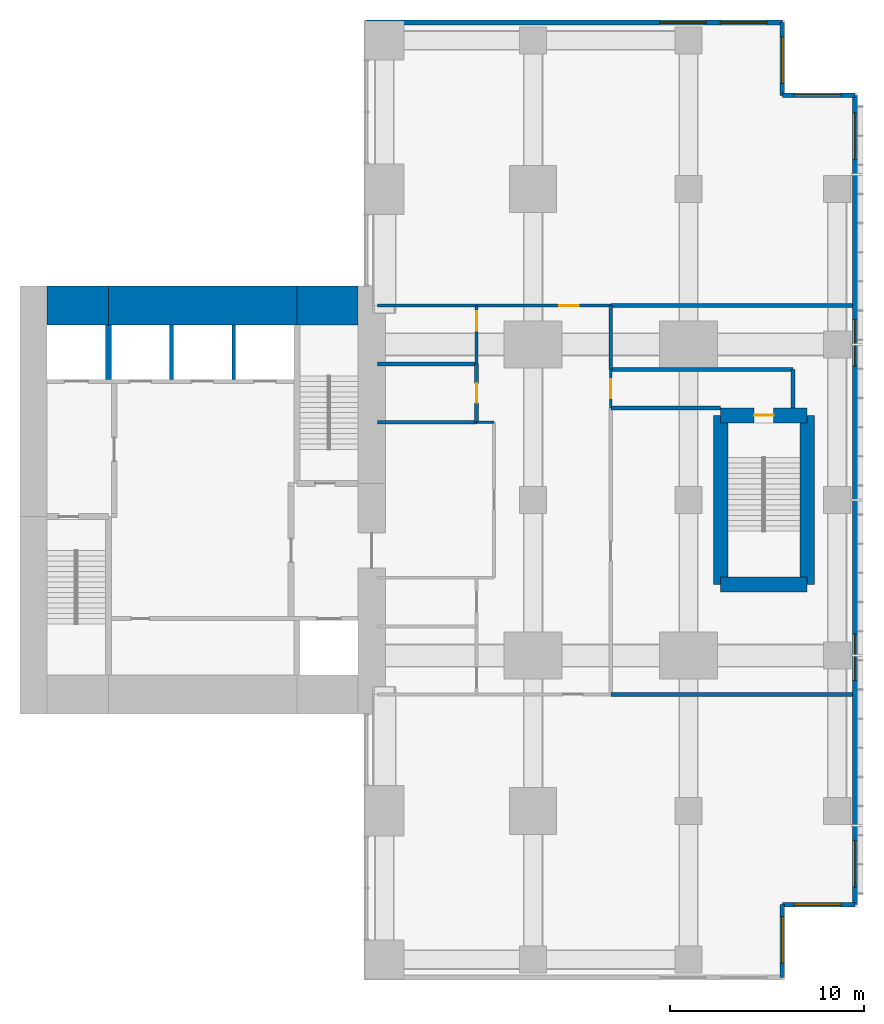
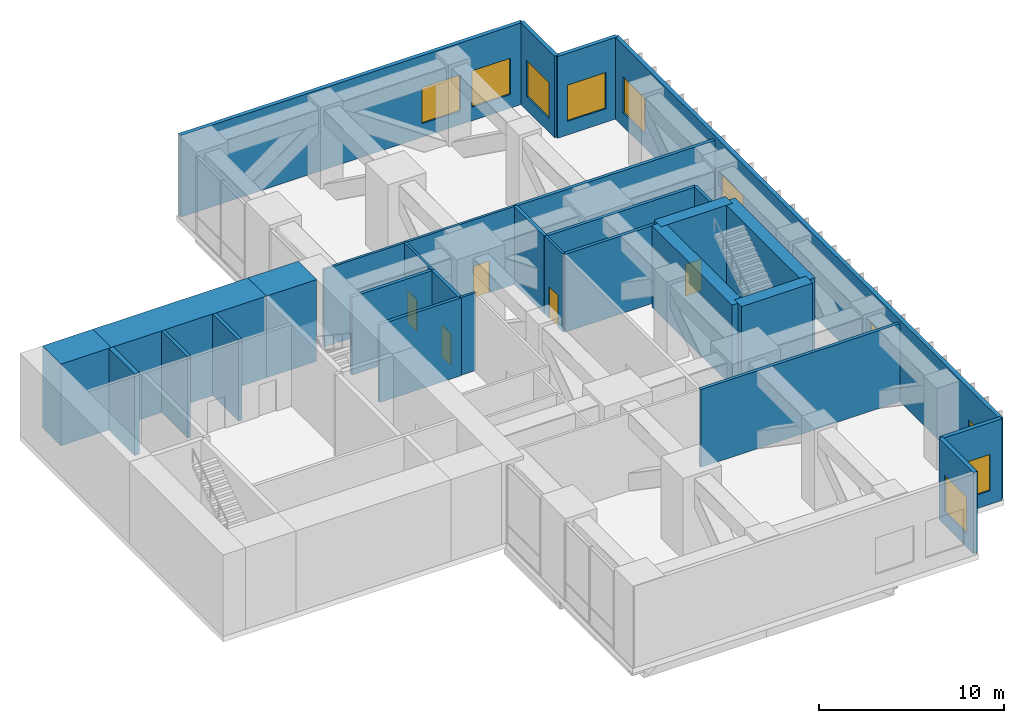
# One storey, part 8 of 10: 29 walls, 10 windows, 5 doors, 15 openings.
"""IFC4 building model written with IfcOpenShell, lengths in metres."""

from ifc_helpers import new_model, si_unit, direction, frame, frame_2d, origin, place, context, subcontext, project, spatial, rectangle, extrude, material, layer, layer_set, type_object, element, fill, save


model = new_model("IFC4")

# Units and contexts
model_context = context("Model", 3, precision=1e-05, world=origin(), true_north=direction((0.0, 1.0)))
body_context = subcontext(model_context, "Body", "Model", "MODEL_VIEW")
ifc_project = project(units=[si_unit("LENGTHUNIT", "METRE"), si_unit("AREAUNIT", "SQUARE_METRE"), si_unit("VOLUMEUNIT", "CUBIC_METRE"), si_unit("PLANEANGLEUNIT", "RADIAN"), si_unit("MASSUNIT", "GRAM", prefix="KILO")], contexts=[model_context])

# Site, building, storey
site_placement = place(None, origin())
site = spatial("IfcSite", under=ifc_project, at=site_placement, CompositionType="ELEMENT")
building_placement = place(site_placement, origin())
building = spatial("IfcBuilding", under=site, at=building_placement, Name="Cleftline Residences", CompositionType="ELEMENT")
storey_placement = place(building_placement, frame((0.0, 0.0, 277.199951171875)))
storey = spatial("IfcBuildingStorey", under=building, at=storey_placement, Name="L73", CompositionType="ELEMENT", Elevation=277.199951171875)

# Walls
ifc_material_1 = material(Name="Concrete B70", Category="concrete")
ifc_layer_1 = layer(ifc_material_1, 2.0)
ifc_layer_set_1 = layer_set([ifc_layer_1], Name="CORE WALL 2000")
wall_type_1 = type_object("IfcWallType", Name="CORE WALL 2000", PredefinedType="SHEAR", material=ifc_layer_set_1)
wall_1_placement = place(storey_placement, frame((25.0, 34.0, 0.0), z_axis=(0.0, 0.0, 1.0), x_axis=(1.0, 0.0, 0.0)))
element("IfcWall", 1, at=wall_1_placement, inside=storey, type_object=wall_type_1, Name="Core wall N1", PredefinedType="SHEAR", context=body_context, shape_type="SweptSolid", body=[
    extrude(rectangle(XDim=3.14990234375, YDim=2.0, at=frame_2d((1.574951171875, 0.0))), origin(), (0.0, 0.0, 1.0), 5.400146484375),
])
wall_2_placement = place(storey_placement, frame((28.14990234375, 34.0, 0.0), z_axis=(0.0, 0.0, 1.0), x_axis=(1.0, 0.0, 0.0)))
element("IfcWall", 2, at=wall_2_placement, inside=storey, type_object=wall_type_1, Name="Core wall N2", PredefinedType="SHEAR", context=body_context, shape_type="SweptSolid", body=[
    extrude(rectangle(XDim=9.7001953125, YDim=2.0, at=frame_2d((4.85009765625, 0.0))), origin(), (0.0, 0.0, 1.0), 5.400146484375),
])
wall_3_placement = place(storey_placement, frame((37.85009765625, 34.0, 0.0), z_axis=(0.0, 0.0, 1.0), x_axis=(1.0, 0.0, 0.0)))
element("IfcWall", 3, at=wall_3_placement, inside=storey, type_object=wall_type_1, Name="Core wall N3", PredefinedType="SHEAR", context=body_context, shape_type="SweptSolid", body=[
    extrude(rectangle(XDim=3.14990234375, YDim=2.0, at=frame_2d((1.574951171875, 0.0))), origin(), (0.0, 0.0, 1.0), 5.400146484375),
])
ifc_material_2 = material(Name="Concrete B70", Category="concrete")
ifc_layer_2 = layer(ifc_material_2, 0.300048828125)
ifc_layer_set_2 = layer_set([ifc_layer_2], Name="CORE WALL 300")
wall_type_2 = type_object("IfcWallType", Name="CORE WALL 300", PredefinedType="SHEAR", material=ifc_layer_set_2)
wall_4_placement = place(storey_placement, frame((28.14990234375, 30.199951171875, 0.0), z_axis=(0.0, 0.0, 1.0), x_axis=(0.0, 1.0, 0.0)))
element("IfcWall", 4, at=wall_4_placement, inside=storey, type_object=wall_type_2, Name="Lift shaft wall", PredefinedType="SHEAR", context=body_context, shape_type="SweptSolid", body=[
    extrude(rectangle(XDim=2.800048828125, YDim=0.300048828125, at=frame_2d((1.39990234375, 0.0))), origin(), (0.0, 0.0, 1.0), 5.400146484375),
])

# Wall, opening, window
ifc_material_3 = material(Name="Rendered reinforced concrete blockwork", Category="masonry")
ifc_layer_3 = layer(ifc_material_3, 0.25)
ifc_layer_set_3 = layer_set([ifc_layer_3], Name="EXTERNAL WALL 250")
wall_type_3 = type_object("IfcWallType", Name="EXTERNAL WALL 250", PredefinedType="SOLIDWALL", material=ifc_layer_set_3)
wall_5_placement = place(storey_placement, frame((62.824951171875, -0.574951171875, 0.0), z_axis=(0.0, 0.0, 1.0), x_axis=(0.0, 1.0, 0.0)))
wall_5 = element("IfcWall", 5, at=wall_5_placement, inside=storey, type_object=wall_type_3, Name="External wall", PredefinedType="SOLIDWALL", context=body_context, shape_type="SweptSolid", body=[
    extrude(rectangle(XDim=3.75, YDim=0.25, at=frame_2d((1.875, 0.0))), origin(), (0.0, 0.0, 1.0), 5.400146484375),
])
opening_1_placement = place(wall_5_placement, frame((0.737548828125, 0.0, 0.89990234375)))
opening_1 = element("IfcOpeningElement", 6, at=opening_1_placement, cuts=wall_5, Name="Opening W9", PredefinedType="OPENING", context=body_context, shape_type="SweptSolid", body=[
    extrude(rectangle(XDim=2.39990234375, YDim=2.39990234375, at=frame_2d((1.199951171875, 1.199951171875))), frame((0.0, 0.135009765625, 0.0), z_axis=(0.0, -1.0, 0.0), x_axis=(1.0, 0.0, 0.0)), (0.0, 0.0, 1.0), 0.27001953125),
])
ifc_material_4 = material(Name="Aluminium frame, clear double glazing", Category="aluminium")
window_type = type_object("IfcWindowType", Name="WINDOW 2400X2400", PartitioningType="DOUBLE_PANEL_VERTICAL", PredefinedType="WINDOW", material=ifc_material_4)
window_1_placement = place(opening_1_placement, origin())
window_1 = element("IfcWindow", 7, at=window_1_placement, inside=storey, type_object=window_type, Name="Window", OverallHeight=2.39990234375, OverallWidth=2.39990234375, PartitioningType="SINGLE_PANEL", PredefinedType="WINDOW", context=body_context, shape_type="SweptSolid", body=[
    extrude(rectangle(XDim=2.39990234375, YDim=2.39990234375, at=frame_2d((1.199951171875, 1.199951171875))), frame((0.0, 0.030029296875, 0.0), z_axis=(0.0, -1.0, 0.0), x_axis=(1.0, 0.0, 0.0)), (0.0, 0.0, 1.0), 0.06005859375),
])
fill(opening_1, window_1)

wall_6_placement = place(storey_placement, frame((62.824951171875, 3.175048828125, 0.0), z_axis=(0.0, 0.0, 1.0), x_axis=(1.0, 0.0, 0.0)))
wall_6 = element("IfcWall", 8, at=wall_6_placement, inside=storey, type_object=wall_type_3, Name="External wall", PredefinedType="SOLIDWALL", context=body_context, shape_type="SweptSolid", body=[
    extrude(rectangle(XDim=3.75, YDim=0.25, at=frame_2d((1.875, 0.0))), origin(), (0.0, 0.0, 1.0), 5.400146484375),
])
opening_2_placement = place(wall_6_placement, frame((0.612548828125, 0.0, 0.89990234375)))
opening_2 = element("IfcOpeningElement", 9, at=opening_2_placement, cuts=wall_6, Name="Opening W9", PredefinedType="OPENING", context=body_context, shape_type="SweptSolid", body=[
    extrude(rectangle(XDim=2.39990234375, YDim=2.39990234375, at=frame_2d((1.199951171875, 1.199951171875))), frame((0.0, 0.135009765625, 0.0), z_axis=(0.0, -1.0, 0.0), x_axis=(1.0, 0.0, 0.0)), (0.0, 0.0, 1.0), 0.27001953125),
])
window_2_placement = place(opening_2_placement, origin())
window_2 = element("IfcWindow", 10, at=window_2_placement, inside=storey, type_object=window_type, Name="Window", OverallHeight=2.39990234375, OverallWidth=2.39990234375, PartitioningType="SINGLE_PANEL", PredefinedType="WINDOW", context=body_context, shape_type="SweptSolid", body=[
    extrude(rectangle(XDim=2.39990234375, YDim=2.39990234375, at=frame_2d((1.199951171875, 1.199951171875))), frame((0.0, 0.030029296875, 0.0), z_axis=(0.0, -1.0, 0.0), x_axis=(1.0, 0.0, 0.0)), (0.0, 0.0, 1.0), 0.06005859375),
])
fill(opening_2, window_2)

# Wall, openings, windows
wall_7_placement = place(storey_placement, frame((66.574951171875, 3.175048828125, 0.0), z_axis=(0.0, 0.0, 1.0), x_axis=(0.0, 1.0, 0.0)))
wall_7 = element("IfcWall", 11, at=wall_7_placement, inside=storey, type_object=wall_type_3, Name="External wall", PredefinedType="SOLIDWALL", context=body_context, shape_type="SweptSolid", body=[
    extrude(rectangle(XDim=41.64990234375, YDim=0.25, at=frame_2d((20.824951171875, 0.0))), origin(), (0.0, 0.0, 1.0), 5.400146484375),
])
opening_3_placement = place(wall_7_placement, frame((0.908447265625, 0.0, 0.89990234375)))
opening_3 = element("IfcOpeningElement", 12, at=opening_3_placement, cuts=wall_7, Name="Opening W9", PredefinedType="OPENING", context=body_context, shape_type="SweptSolid", body=[
    extrude(rectangle(XDim=2.39990234375, YDim=2.39990234375, at=frame_2d((1.199951171875, 1.199951171875))), frame((0.0, 0.135009765625, 0.0), z_axis=(0.0, -1.0, 0.0), x_axis=(1.0, 0.0, 0.0)), (0.0, 0.0, 1.0), 0.27001953125),
])
opening_4_placement = place(wall_7_placement, frame((11.541748046875, 0.0, 0.89990234375)))
opening_4 = element("IfcOpeningElement", 13, at=opening_4_placement, cuts=wall_7, Name="Opening W9", PredefinedType="OPENING", context=body_context, shape_type="SweptSolid", body=[
    extrude(rectangle(XDim=2.39990234375, YDim=2.39990234375, at=frame_2d((1.199951171875, 1.199951171875))), frame((0.0, 0.135009765625, 0.0), z_axis=(0.0, -1.0, 0.0), x_axis=(1.0, 0.0, 0.0)), (0.0, 0.0, 1.0), 0.27001953125),
])
opening_5_placement = place(wall_7_placement, frame((27.708251953125, 0.0, 0.89990234375)))
opening_5 = element("IfcOpeningElement", 14, at=opening_5_placement, cuts=wall_7, Name="Opening W9", PredefinedType="OPENING", context=body_context, shape_type="SweptSolid", body=[
    extrude(rectangle(XDim=2.39990234375, YDim=2.39990234375, at=frame_2d((1.199951171875, 1.199951171875))), frame((0.0, 0.135009765625, 0.0), z_axis=(0.0, -1.0, 0.0), x_axis=(1.0, 0.0, 0.0)), (0.0, 0.0, 1.0), 0.27001953125),
])
opening_6_placement = place(wall_7_placement, frame((38.341552734375, 0.0, 0.89990234375)))
opening_6 = element("IfcOpeningElement", 15, at=opening_6_placement, cuts=wall_7, Name="Opening W9", PredefinedType="OPENING", context=body_context, shape_type="SweptSolid", body=[
    extrude(rectangle(XDim=2.39990234375, YDim=2.39990234375, at=frame_2d((1.199951171875, 1.199951171875))), frame((0.0, 0.135009765625, 0.0), z_axis=(0.0, -1.0, 0.0), x_axis=(1.0, 0.0, 0.0)), (0.0, 0.0, 1.0), 0.27001953125),
])
window_3_placement = place(opening_3_placement, origin())
window_3 = element("IfcWindow", 16, at=window_3_placement, inside=storey, type_object=window_type, Name="Window", OverallHeight=2.39990234375, OverallWidth=2.39990234375, PartitioningType="SINGLE_PANEL", PredefinedType="WINDOW", context=body_context, shape_type="SweptSolid", body=[
    extrude(rectangle(XDim=2.39990234375, YDim=2.39990234375, at=frame_2d((1.199951171875, 1.199951171875))), frame((0.0, 0.030029296875, 0.0), z_axis=(0.0, -1.0, 0.0), x_axis=(1.0, 0.0, 0.0)), (0.0, 0.0, 1.0), 0.06005859375),
])
fill(opening_3, window_3)
window_4_placement = place(opening_4_placement, origin())
window_4 = element("IfcWindow", 17, at=window_4_placement, inside=storey, type_object=window_type, Name="Window", OverallHeight=2.39990234375, OverallWidth=2.39990234375, PartitioningType="SINGLE_PANEL", PredefinedType="WINDOW", context=body_context, shape_type="SweptSolid", body=[
    extrude(rectangle(XDim=2.39990234375, YDim=2.39990234375, at=frame_2d((1.199951171875, 1.199951171875))), frame((0.0, 0.030029296875, 0.0), z_axis=(0.0, -1.0, 0.0), x_axis=(1.0, 0.0, 0.0)), (0.0, 0.0, 1.0), 0.06005859375),
])
fill(opening_4, window_4)
window_5_placement = place(opening_5_placement, origin())
window_5 = element("IfcWindow", 18, at=window_5_placement, inside=storey, type_object=window_type, Name="Window", OverallHeight=2.39990234375, OverallWidth=2.39990234375, PartitioningType="SINGLE_PANEL", PredefinedType="WINDOW", context=body_context, shape_type="SweptSolid", body=[
    extrude(rectangle(XDim=2.39990234375, YDim=2.39990234375, at=frame_2d((1.199951171875, 1.199951171875))), frame((0.0, 0.030029296875, 0.0), z_axis=(0.0, -1.0, 0.0), x_axis=(1.0, 0.0, 0.0)), (0.0, 0.0, 1.0), 0.06005859375),
])
fill(opening_5, window_5)
window_6_placement = place(opening_6_placement, origin())
window_6 = element("IfcWindow", 19, at=window_6_placement, inside=storey, type_object=window_type, Name="Window", OverallHeight=2.39990234375, OverallWidth=2.39990234375, PartitioningType="SINGLE_PANEL", PredefinedType="WINDOW", context=body_context, shape_type="SweptSolid", body=[
    extrude(rectangle(XDim=2.39990234375, YDim=2.39990234375, at=frame_2d((1.199951171875, 1.199951171875))), frame((0.0, 0.030029296875, 0.0), z_axis=(0.0, -1.0, 0.0), x_axis=(1.0, 0.0, 0.0)), (0.0, 0.0, 1.0), 0.06005859375),
])
fill(opening_6, window_6)

# Wall, opening, window
wall_8_placement = place(storey_placement, frame((66.574951171875, 44.824951171875, 0.0), z_axis=(0.0, 0.0, 1.0), x_axis=(-1.0, 0.0, 0.0)))
wall_8 = element("IfcWall", 20, at=wall_8_placement, inside=storey, type_object=wall_type_3, Name="External wall", PredefinedType="SOLIDWALL", context=body_context, shape_type="SweptSolid", body=[
    extrude(rectangle(XDim=3.75, YDim=0.25, at=frame_2d((1.875, 0.0))), origin(), (0.0, 0.0, 1.0), 5.400146484375),
])
opening_7_placement = place(wall_8_placement, frame((0.737548828125, 0.0, 0.89990234375)))
opening_7 = element("IfcOpeningElement", 21, at=opening_7_placement, cuts=wall_8, Name="Opening W9", PredefinedType="OPENING", context=body_context, shape_type="SweptSolid", body=[
    extrude(rectangle(XDim=2.39990234375, YDim=2.39990234375, at=frame_2d((1.199951171875, 1.199951171875))), frame((0.0, 0.135009765625, 0.0), z_axis=(0.0, -1.0, 0.0), x_axis=(1.0, 0.0, 0.0)), (0.0, 0.0, 1.0), 0.27001953125),
])
window_7_placement = place(opening_7_placement, origin())
window_7 = element("IfcWindow", 22, at=window_7_placement, inside=storey, type_object=window_type, Name="Window", OverallHeight=2.39990234375, OverallWidth=2.39990234375, PartitioningType="SINGLE_PANEL", PredefinedType="WINDOW", context=body_context, shape_type="SweptSolid", body=[
    extrude(rectangle(XDim=2.39990234375, YDim=2.39990234375, at=frame_2d((1.199951171875, 1.199951171875))), frame((0.0, 0.030029296875, 0.0), z_axis=(0.0, -1.0, 0.0), x_axis=(1.0, 0.0, 0.0)), (0.0, 0.0, 1.0), 0.06005859375),
])
fill(opening_7, window_7)

wall_9_placement = place(storey_placement, frame((62.824951171875, 44.824951171875, 0.0), z_axis=(0.0, 0.0, 1.0), x_axis=(0.0, 1.0, 0.0)))
wall_9 = element("IfcWall", 23, at=wall_9_placement, inside=storey, type_object=wall_type_3, Name="External wall", PredefinedType="SOLIDWALL", context=body_context, shape_type="SweptSolid", body=[
    extrude(rectangle(XDim=3.75, YDim=0.25, at=frame_2d((1.875, 0.0))), origin(), (0.0, 0.0, 1.0), 5.400146484375),
])
opening_8_placement = place(wall_9_placement, frame((0.612548828125, 0.0, 0.89990234375)))
opening_8 = element("IfcOpeningElement", 24, at=opening_8_placement, cuts=wall_9, Name="Opening W9", PredefinedType="OPENING", context=body_context, shape_type="SweptSolid", body=[
    extrude(rectangle(XDim=2.39990234375, YDim=2.39990234375, at=frame_2d((1.199951171875, 1.199951171875))), frame((0.0, 0.135009765625, 0.0), z_axis=(0.0, -1.0, 0.0), x_axis=(1.0, 0.0, 0.0)), (0.0, 0.0, 1.0), 0.27001953125),
])
window_8_placement = place(opening_8_placement, origin())
window_8 = element("IfcWindow", 25, at=window_8_placement, inside=storey, type_object=window_type, Name="Window", OverallHeight=2.39990234375, OverallWidth=2.39990234375, PartitioningType="SINGLE_PANEL", PredefinedType="WINDOW", context=body_context, shape_type="SweptSolid", body=[
    extrude(rectangle(XDim=2.39990234375, YDim=2.39990234375, at=frame_2d((1.199951171875, 1.199951171875))), frame((0.0, 0.030029296875, 0.0), z_axis=(0.0, -1.0, 0.0), x_axis=(1.0, 0.0, 0.0)), (0.0, 0.0, 1.0), 0.06005859375),
])
fill(opening_8, window_8)

# Wall, openings, windows
wall_10_placement = place(storey_placement, frame((62.824951171875, 48.574951171875, 0.0), z_axis=(0.0, 0.0, 1.0), x_axis=(-1.0, 0.0, 0.0)))
wall_10 = element("IfcWall", 26, at=wall_10_placement, inside=storey, type_object=wall_type_3, Name="External wall", PredefinedType="SOLIDWALL", context=body_context, shape_type="SweptSolid", body=[
    extrude(rectangle(XDim=21.39990234375, YDim=0.25, at=frame_2d((10.699951171875, 0.0))), origin(), (0.0, 0.0, 1.0), 5.400146484375),
])
opening_9_placement = place(wall_10_placement, frame((0.78759765625, 0.0, 0.89990234375)))
opening_9 = element("IfcOpeningElement", 27, at=opening_9_placement, cuts=wall_10, Name="Opening W9", PredefinedType="OPENING", context=body_context, shape_type="SweptSolid", body=[
    extrude(rectangle(XDim=2.39990234375, YDim=2.39990234375, at=frame_2d((1.199951171875, 1.199951171875))), frame((0.0, 0.135009765625, 0.0), z_axis=(0.0, -1.0, 0.0), x_axis=(1.0, 0.0, 0.0)), (0.0, 0.0, 1.0), 0.27001953125),
])
opening_10_placement = place(wall_10_placement, frame((3.91259765625, 0.0, 0.89990234375)))
opening_10 = element("IfcOpeningElement", 28, at=opening_10_placement, cuts=wall_10, Name="Opening W9", PredefinedType="OPENING", context=body_context, shape_type="SweptSolid", body=[
    extrude(rectangle(XDim=2.39990234375, YDim=2.39990234375, at=frame_2d((1.199951171875, 1.199951171875))), frame((0.0, 0.135009765625, 0.0), z_axis=(0.0, -1.0, 0.0), x_axis=(1.0, 0.0, 0.0)), (0.0, 0.0, 1.0), 0.27001953125),
])
window_9_placement = place(opening_9_placement, origin())
window_9 = element("IfcWindow", 29, at=window_9_placement, inside=storey, type_object=window_type, Name="Window", OverallHeight=2.39990234375, OverallWidth=2.39990234375, PartitioningType="SINGLE_PANEL", PredefinedType="WINDOW", context=body_context, shape_type="SweptSolid", body=[
    extrude(rectangle(XDim=2.39990234375, YDim=2.39990234375, at=frame_2d((1.199951171875, 1.199951171875))), frame((0.0, 0.030029296875, 0.0), z_axis=(0.0, -1.0, 0.0), x_axis=(1.0, 0.0, 0.0)), (0.0, 0.0, 1.0), 0.06005859375),
])
fill(opening_9, window_9)
window_10_placement = place(opening_10_placement, origin())
window_10 = element("IfcWindow", 30, at=window_10_placement, inside=storey, type_object=window_type, Name="Window", OverallHeight=2.39990234375, OverallWidth=2.39990234375, PartitioningType="SINGLE_PANEL", PredefinedType="WINDOW", context=body_context, shape_type="SweptSolid", body=[
    extrude(rectangle(XDim=2.39990234375, YDim=2.39990234375, at=frame_2d((1.199951171875, 1.199951171875))), frame((0.0, 0.030029296875, 0.0), z_axis=(0.0, -1.0, 0.0), x_axis=(1.0, 0.0, 0.0)), (0.0, 0.0, 1.0), 0.06005859375),
])
fill(opening_10, window_10)

# Walls
ifc_material_5 = material(Name="Concrete blockwork, fire rated", Category="masonry")
ifc_layer_4 = layer(ifc_material_5, 0.199951171875)
ifc_layer_set_4 = layer_set([ifc_layer_4], Name="FIRE WALL 200")
wall_type_4 = type_object("IfcWallType", Name="FIRE WALL 200", PredefinedType="PARTITIONING", material=ifc_layer_set_4)
wall_11_placement = place(storey_placement, frame((54.0, 14.0, 0.0), z_axis=(0.0, 0.0, 1.0), x_axis=(1.0, 0.0, 0.0)))
element("IfcWall", 31, at=wall_11_placement, inside=storey, type_object=wall_type_4, Name="Fire separating wall", PredefinedType="PARTITIONING", context=body_context, shape_type="SweptSolid", body=[
    extrude(rectangle(XDim=12.449951171875, YDim=0.199951171875, at=frame_2d((6.22509765625, 0.0))), origin(), (0.0, 0.0, 1.0), 5.150146484375),
])
wall_12_placement = place(storey_placement, frame((42.0, 28.0, 0.0), z_axis=(0.0, 0.0, 1.0), x_axis=(1.0, 0.0, 0.0)))
element("IfcWall", 32, at=wall_12_placement, inside=storey, type_object=wall_type_4, Name="Fire separating wall", PredefinedType="PARTITIONING", context=body_context, shape_type="SweptSolid", body=[
    extrude(rectangle(XDim=5.10009765625, YDim=0.199951171875, at=frame_2d((2.550048828125, 0.0))), origin(), (0.0, 0.0, 1.0), 5.150146484375),
])
wall_13_placement = place(storey_placement, frame((54.0, 28.72509765625, 0.0), z_axis=(0.0, 0.0, 1.0), x_axis=(1.0, 0.0, 0.0)))
element("IfcWall", 33, at=wall_13_placement, inside=storey, type_object=wall_type_4, Name="Fire separating wall", PredefinedType="PARTITIONING", context=body_context, shape_type="SweptSolid", body=[
    extrude(rectangle(XDim=5.64990234375, YDim=0.199951171875, at=frame_2d((2.824951171875, 0.0))), origin(), (0.0, 0.0, 1.0), 5.150146484375),
])
wall_14_placement = place(storey_placement, frame((54.0, 30.72509765625, 0.0), z_axis=(0.0, 0.0, 1.0), x_axis=(1.0, 0.0, 0.0)))
element("IfcWall", 34, at=wall_14_placement, inside=storey, type_object=wall_type_4, Name="Fire separating wall", PredefinedType="PARTITIONING", context=body_context, shape_type="SweptSolid", body=[
    extrude(rectangle(XDim=9.375, YDim=0.199951171875, at=frame_2d((4.6875, 0.0))), origin(), (0.0, 0.0, 1.0), 5.150146484375),
])
wall_15_placement = place(storey_placement, frame((42.0, 31.0, 0.0), z_axis=(0.0, 0.0, 1.0), x_axis=(1.0, 0.0, 0.0)))
element("IfcWall", 35, at=wall_15_placement, inside=storey, type_object=wall_type_4, Name="Fire separating wall", PredefinedType="PARTITIONING", context=body_context, shape_type="SweptSolid", body=[
    extrude(rectangle(XDim=5.10009765625, YDim=0.199951171875, at=frame_2d((2.550048828125, 0.0))), origin(), (0.0, 0.0, 1.0), 5.150146484375),
])
wall_16_placement = place(storey_placement, frame((54.0, 34.0, 0.0), z_axis=(0.0, 0.0, 1.0), x_axis=(1.0, 0.0, 0.0)))
element("IfcWall", 36, at=wall_16_placement, inside=storey, type_object=wall_type_4, Name="Fire separating wall", PredefinedType="PARTITIONING", context=body_context, shape_type="SweptSolid", body=[
    extrude(rectangle(XDim=12.449951171875, YDim=0.199951171875, at=frame_2d((6.22509765625, 0.0))), origin(), (0.0, 0.0, 1.0), 5.150146484375),
])

# Wall, opening, door
wall_17_placement = place(storey_placement, frame((47.10009765625, 28.0, 0.0), z_axis=(0.0, 0.0, 1.0), x_axis=(0.0, 1.0, 0.0)))
wall_17 = element("IfcWall", 37, at=wall_17_placement, inside=storey, type_object=wall_type_4, Name="Fire separating wall", PredefinedType="PARTITIONING", context=body_context, shape_type="SweptSolid", body=[
    extrude(rectangle(XDim=3.0, YDim=0.199951171875, at=frame_2d((1.5, 0.0))), origin(), (0.0, 0.0, 1.0), 5.150146484375),
])
opening_11_placement = place(wall_17_placement, frame((1.0, 0.0, 0.0)))
opening_11 = element("IfcOpeningElement", 38, at=opening_11_placement, cuts=wall_17, Name="Opening D2F60", PredefinedType="OPENING", context=body_context, shape_type="SweptSolid", body=[
    extrude(rectangle(XDim=1.0, YDim=2.10009765625, at=frame_2d((0.5, 1.050048828125))), frame((0.0, 0.10986328125, 0.0), z_axis=(0.0, -1.0, 0.0), x_axis=(1.0, 0.0, 0.0)), (0.0, 0.0, 1.0), 0.219970703125),
])
ifc_material_6 = material(Name="Timber veneer on solid core", Category="wood")
door_type_1 = type_object("IfcDoorType", Name="DOOR 1000X2100 EI 60", OperationType="SINGLE_SWING_LEFT", PredefinedType="DOOR", material=ifc_material_6)
door_1_placement = place(opening_11_placement, origin())
door_1 = element("IfcDoor", 39, at=door_1_placement, inside=storey, type_object=door_type_1, Name="Door to water tank room", OperationType="SINGLE_SWING_LEFT", OverallHeight=2.10009765625, OverallWidth=1.0, PredefinedType="DOOR", context=body_context, shape_type="SweptSolid", body=[
    extrude(rectangle(XDim=1.0, YDim=2.10009765625, at=frame_2d((0.5, 1.050048828125))), frame((0.0, 0.02490234375, 0.0), z_axis=(0.0, -1.0, 0.0), x_axis=(1.0, 0.0, 0.0)), (0.0, 0.0, 1.0), 0.050048828125),
])
fill(opening_11, door_1)

# Walls
wall_18_placement = place(storey_placement, frame((54.0, 30.72509765625, 0.0), z_axis=(0.0, 0.0, 1.0), x_axis=(0.0, 1.0, 0.0)))
element("IfcWall", 40, at=wall_18_placement, inside=storey, type_object=wall_type_4, Name="Fire separating wall", PredefinedType="PARTITIONING", context=body_context, shape_type="SweptSolid", body=[
    extrude(rectangle(XDim=3.27490234375, YDim=0.199951171875, at=frame_2d((1.637451171875, 0.0))), origin(), (0.0, 0.0, 1.0), 5.150146484375),
])
wall_19_placement = place(storey_placement, frame((63.375, 28.72509765625, 0.0), z_axis=(0.0, 0.0, 1.0), x_axis=(0.0, 1.0, 0.0)))
element("IfcWall", 41, at=wall_19_placement, inside=storey, type_object=wall_type_4, Name="Fire separating wall", PredefinedType="PARTITIONING", context=body_context, shape_type="SweptSolid", body=[
    extrude(rectangle(XDim=2.0, YDim=0.199951171875, at=frame_2d((1.0, 0.0))), origin(), (0.0, 0.0, 1.0), 5.150146484375),
])
ifc_material_7 = material(Name="Gypsum board on steel studs", Category="steel")
ifc_layer_5 = layer(ifc_material_7, 0.14990234375)
ifc_layer_set_5 = layer_set([ifc_layer_5], Name="PARTITION 150")
wall_type_5 = type_object("IfcWallType", Name="PARTITION 150", PredefinedType="PARTITIONING", material=ifc_layer_set_5)
wall_20_placement = place(storey_placement, frame((47.10009765625, 28.0, 0.0), z_axis=(0.0, 0.0, 1.0), x_axis=(1.0, 0.0, 0.0)))
element("IfcWall", 42, at=wall_20_placement, inside=storey, type_object=wall_type_5, Name="Partition", PredefinedType="PARTITIONING", context=body_context, shape_type="SweptSolid", body=[
    extrude(rectangle(XDim=0.89990234375, YDim=0.14990234375, at=frame_2d((0.449951171875, 0.0))), origin(), (0.0, 0.0, 1.0), 5.150146484375),
])

# Wall, opening, door
wall_21_placement = place(storey_placement, frame((42.0, 34.0, 0.0), z_axis=(0.0, 0.0, 1.0), x_axis=(1.0, 0.0, 0.0)))
wall_21 = element("IfcWall", 43, at=wall_21_placement, inside=storey, type_object=wall_type_5, Name="Partition", PredefinedType="PARTITIONING", context=body_context, shape_type="SweptSolid", body=[
    extrude(rectangle(XDim=12.0, YDim=0.14990234375, at=frame_2d((6.0, 0.0))), origin(), (0.0, 0.0, 1.0), 5.150146484375),
])
opening_12_placement = place(wall_21_placement, frame((9.35009765625, 0.0, 0.0)))
opening_12 = element("IfcOpeningElement", 44, at=opening_12_placement, cuts=wall_21, Name="Opening D2F60", PredefinedType="OPENING", context=body_context, shape_type="SweptSolid", body=[
    extrude(rectangle(XDim=1.0, YDim=2.10009765625, at=frame_2d((0.5, 1.050048828125))), frame((0.0, 0.0849609375, 0.0), z_axis=(0.0, -1.0, 0.0), x_axis=(1.0, 0.0, 0.0)), (0.0, 0.0, 1.0), 0.169921875),
])
door_2_placement = place(opening_12_placement, origin())
door_2 = element("IfcDoor", 45, at=door_2_placement, inside=storey, type_object=door_type_1, Name="Door to refuge area", OperationType="SINGLE_SWING_LEFT", OverallHeight=2.10009765625, OverallWidth=1.0, PredefinedType="DOOR", context=body_context, shape_type="SweptSolid", body=[
    extrude(rectangle(XDim=1.0, YDim=2.10009765625, at=frame_2d((0.5, 1.050048828125))), frame((0.0, 0.02490234375, 0.0), z_axis=(0.0, -1.0, 0.0), x_axis=(1.0, 0.0, 0.0)), (0.0, 0.0, 1.0), 0.050048828125),
])
fill(opening_12, door_2)

wall_22_placement = place(storey_placement, frame((47.10009765625, 31.0, 0.0), z_axis=(0.0, 0.0, 1.0), x_axis=(0.0, 1.0, 0.0)))
wall_22 = element("IfcWall", 46, at=wall_22_placement, inside=storey, type_object=wall_type_5, Name="Partition", PredefinedType="PARTITIONING", context=body_context, shape_type="SweptSolid", body=[
    extrude(rectangle(XDim=3.0, YDim=0.14990234375, at=frame_2d((1.5, 0.0))), origin(), (0.0, 0.0, 1.0), 5.150146484375),
])
opening_13_placement = place(wall_22_placement, frame((1.699951171875, 0.0, 0.0)))
opening_13 = element("IfcOpeningElement", 47, at=opening_13_placement, cuts=wall_22, Name="Opening D2F60", PredefinedType="OPENING", context=body_context, shape_type="SweptSolid", body=[
    extrude(rectangle(XDim=1.0, YDim=2.10009765625, at=frame_2d((0.5, 1.050048828125))), frame((0.0, 0.0849609375, 0.0), z_axis=(0.0, -1.0, 0.0), x_axis=(1.0, 0.0, 0.0)), (0.0, 0.0, 1.0), 0.169921875),
])
door_3_placement = place(opening_13_placement, origin())
door_3 = element("IfcDoor", 48, at=door_3_placement, inside=storey, type_object=door_type_1, Name="Door to communications room", OperationType="SINGLE_SWING_LEFT", OverallHeight=2.10009765625, OverallWidth=1.0, PredefinedType="DOOR", context=body_context, shape_type="SweptSolid", body=[
    extrude(rectangle(XDim=1.0, YDim=2.10009765625, at=frame_2d((0.5, 1.050048828125))), frame((0.0, 0.02490234375, 0.0), z_axis=(0.0, -1.0, 0.0), x_axis=(1.0, 0.0, 0.0)), (0.0, 0.0, 1.0), 0.050048828125),
])
fill(opening_13, door_3)

wall_23_placement = place(storey_placement, frame((54.0, 28.72509765625, 0.0), z_axis=(0.0, 0.0, 1.0), x_axis=(0.0, 1.0, 0.0)))
wall_23 = element("IfcWall", 49, at=wall_23_placement, inside=storey, type_object=wall_type_5, Name="Partition", PredefinedType="PARTITIONING", context=body_context, shape_type="SweptSolid", body=[
    extrude(rectangle(XDim=2.0, YDim=0.14990234375, at=frame_2d((1.0, 0.0))), origin(), (0.0, 0.0, 1.0), 5.150146484375),
])
opening_14_placement = place(wall_23_placement, frame((0.5, 0.0, 0.0)))
opening_14 = element("IfcOpeningElement", 50, at=opening_14_placement, cuts=wall_23, Name="Opening D2F30", PredefinedType="OPENING", context=body_context, shape_type="SweptSolid", body=[
    extrude(rectangle(XDim=1.0, YDim=2.10009765625, at=frame_2d((0.5, 1.050048828125))), frame((0.0, 0.0849609375, 0.0), z_axis=(0.0, -1.0, 0.0), x_axis=(1.0, 0.0, 0.0)), (0.0, 0.0, 1.0), 0.169921875),
])
ifc_material_8 = material(Name="Timber veneer on solid core", Category="wood")
door_type_2 = type_object("IfcDoorType", Name="DOOR 1000X2100 EI 30", OperationType="SINGLE_SWING_LEFT", PredefinedType="DOOR", material=ifc_material_8)
door_4_placement = place(opening_14_placement, origin())
door_4 = element("IfcDoor", 51, at=door_4_placement, inside=storey, type_object=door_type_2, Name="Door to stair lobby", OperationType="SINGLE_SWING_LEFT", OverallHeight=2.10009765625, OverallWidth=1.0, PredefinedType="DOOR", context=body_context, shape_type="SweptSolid", body=[
    extrude(rectangle(XDim=1.0, YDim=2.10009765625, at=frame_2d((0.5, 1.050048828125))), frame((0.0, 0.02490234375, 0.0), z_axis=(0.0, -1.0, 0.0), x_axis=(1.0, 0.0, 0.0)), (0.0, 0.0, 1.0), 0.050048828125),
])
fill(opening_14, door_4)

# Walls
ifc_material_9 = material(Name="Concrete blockwork, fire rated", Category="masonry")
ifc_layer_6 = layer(ifc_material_9, 0.199951171875)
ifc_layer_set_6 = layer_set([ifc_layer_6], Name="SHAFT WALL 200")
wall_type_6 = type_object("IfcWallType", Name="SHAFT WALL 200", PredefinedType="PARTITIONING", material=ifc_layer_set_6)
for number, where, z_axis, x_axis, name in (
    (52, (31.39990234375, 30.199951171875, 0.0), (0.0, 0.0, 1.0), (0.0, 1.0, 0.0), "Lift shaft wall"),
    (53, (34.60009765625, 30.199951171875, 0.0), (0.0, 0.0, 1.0), (0.0, 1.0, 0.0), "Lift shaft wall"),
):
    element("IfcWall", number, at=place(storey_placement, frame(where, z_axis=z_axis, x_axis=x_axis)), inside=storey, type_object=wall_type_6, Name=name, PredefinedType="PARTITIONING", context=body_context, shape_type="SweptSolid", body=[
        extrude(rectangle(XDim=2.800048828125, YDim=0.199951171875, at=frame_2d((1.39990234375, 0.0))), origin(), (0.0, 0.0, 1.0), 5.400146484375),
    ])
ifc_material_10 = material(Name="Concrete B70", Category="concrete")
ifc_layer_7 = layer(ifc_material_10, 0.75)
ifc_layer_set_7 = layer_set([ifc_layer_7], Name="SHEAR WALL 750")
wall_type_7 = type_object("IfcWallType", Name="SHEAR WALL 750", PredefinedType="SHEAR", material=ifc_layer_set_7)
wall_24_placement = place(storey_placement, frame((59.64990234375, 19.64990234375, 0.0), z_axis=(0.0, 0.0, 1.0), x_axis=(1.0, 0.0, 0.0)))
element("IfcWall", 54, at=wall_24_placement, inside=storey, type_object=wall_type_7, Name="Wing shear wall", PredefinedType="SHEAR", context=body_context, shape_type="SweptSolid", body=[
    extrude(rectangle(XDim=4.4501953125, YDim=0.75, at=frame_2d((2.22509765625, 0.0))), origin(), (0.0, 0.0, 1.0), 5.400146484375),
])
wall_25_placement = place(storey_placement, frame((64.10009765625, 19.64990234375, 0.0), z_axis=(0.0, 0.0, 1.0), x_axis=(0.0, 1.0, 0.0)))
element("IfcWall", 55, at=wall_25_placement, inside=storey, type_object=wall_type_7, Name="Wing shear wall", PredefinedType="SHEAR", context=body_context, shape_type="SweptSolid", body=[
    extrude(rectangle(XDim=8.7001953125, YDim=0.75, at=frame_2d((4.35009765625, 0.0))), origin(), (0.0, 0.0, 1.0), 5.400146484375),
])

# Wall, opening, door
wall_26_placement = place(storey_placement, frame((64.10009765625, 28.35009765625, 0.0), z_axis=(0.0, 0.0, 1.0), x_axis=(-1.0, 0.0, 0.0)))
wall_26 = element("IfcWall", 56, at=wall_26_placement, inside=storey, type_object=wall_type_7, Name="Wing shear wall", PredefinedType="SHEAR", context=body_context, shape_type="SweptSolid", body=[
    extrude(rectangle(XDim=4.4501953125, YDim=0.75, at=frame_2d((2.22509765625, 0.0))), origin(), (0.0, 0.0, 1.0), 5.400146484375),
])
opening_15_placement = place(wall_26_placement, frame((1.72509765625, 0.0, 0.0)))
opening_15 = element("IfcOpeningElement", 57, at=opening_15_placement, cuts=wall_26, Name="Opening D5", PredefinedType="OPENING", context=body_context, shape_type="SweptSolid", body=[
    extrude(rectangle(XDim=1.0, YDim=2.10009765625, at=frame_2d((0.5, 1.050048828125))), frame((0.0, 0.385009765625, 0.0), z_axis=(0.0, -1.0, 0.0), x_axis=(1.0, 0.0, 0.0)), (0.0, 0.0, 1.0), 0.77001953125),
])
ifc_material_11 = material(Name="Steel", Category="steel")
door_type_3 = type_object("IfcDoorType", Name="STAIR DOOR 1000X2100", OperationType="SINGLE_SWING_LEFT", PredefinedType="DOOR", material=ifc_material_11)
door_5_placement = place(opening_15_placement, origin())
door_5 = element("IfcDoor", 58, at=door_5_placement, inside=storey, type_object=door_type_3, Name="Stair E door", OperationType="SINGLE_SWING_LEFT", OverallHeight=2.10009765625, OverallWidth=1.0, PredefinedType="DOOR", context=body_context, shape_type="SweptSolid", body=[
    extrude(rectangle(XDim=1.0, YDim=2.10009765625, at=frame_2d((0.5, 1.050048828125))), frame((0.0, 0.02490234375, 0.0), z_axis=(0.0, -1.0, 0.0), x_axis=(1.0, 0.0, 0.0)), (0.0, 0.0, 1.0), 0.050048828125),
])
fill(opening_15, door_5)

# Wall
wall_27_placement = place(storey_placement, frame((59.64990234375, 28.35009765625, 0.0), z_axis=(0.0, 0.0, 1.0), x_axis=(0.0, -1.0, 0.0)))
element("IfcWall", 59, at=wall_27_placement, inside=storey, type_object=wall_type_7, Name="Wing shear wall", PredefinedType="SHEAR", context=body_context, shape_type="SweptSolid", body=[
    extrude(rectangle(XDim=8.7001953125, YDim=0.75, at=frame_2d((4.35009765625, 0.0))), origin(), (0.0, 0.0, 1.0), 5.400146484375),
])

save(model, "model.ifc")
